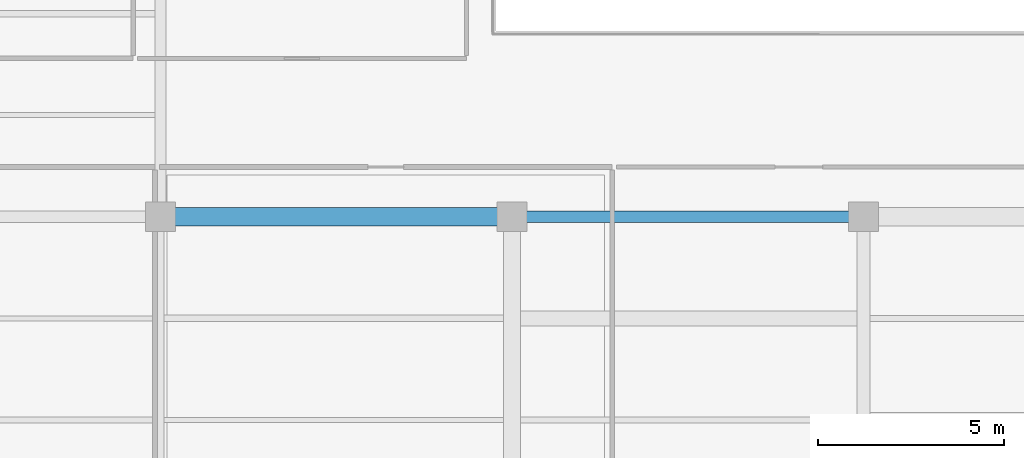
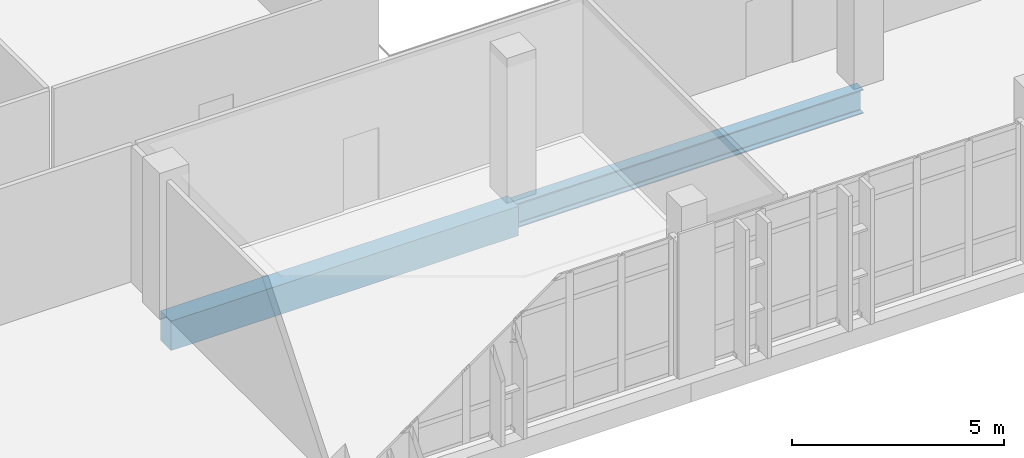
# One storey, part 44 of 158: 2 beams.
"""IFC4 building model written with IfcOpenShell, lengths in metres."""

from ifc_helpers import new_model, si_unit, direction, frame, origin, origin_2d, place, context, subcontext, project, spatial, rectangle, i_section, extrude, material, material_profile, profile_set, type_object, element, save


model = new_model("IFC4")

# Units and contexts
model_context = context("Model", 3, precision=1e-05, world=origin(), true_north=direction((0.0, 1.0)))
body_context = subcontext(model_context, "Body", "Model", "MODEL_VIEW")
ifc_project = project(units=[si_unit("LENGTHUNIT", "METRE"), si_unit("AREAUNIT", "SQUARE_METRE"), si_unit("VOLUMEUNIT", "CUBIC_METRE"), si_unit("PLANEANGLEUNIT", "RADIAN"), si_unit("MASSUNIT", "GRAM", prefix="KILO")], contexts=[model_context])

# Site, building, storey
site_placement = place(None, origin())
site = spatial("IfcSite", under=ifc_project, at=site_placement, CompositionType="ELEMENT")
building_placement = place(site_placement, origin())
building = spatial("IfcBuilding", under=site, at=building_placement, Name="Qalavern Law Courts", CompositionType="ELEMENT")
storey_placement = place(building_placement, frame((0.0, 0.0, 18.60009765625)))
storey = spatial("IfcBuildingStorey", under=building, at=storey_placement, Name="L04", CompositionType="ELEMENT", Elevation=18.60009765625)

# Beams
ifc_material_1 = material(Name="Steel S355", Category="steel")
ifc_material_profile_1 = material_profile(ifc_material_1, i_section(OverallWidth=0.300048828125, OverallDepth=0.699951171875, WebThickness=0.01708984375, FlangeThickness=0.031982421875, FilletRadius=0.027099609375, at=origin_2d()), Name="HEB 700")
ifc_profile_set_1 = profile_set([ifc_material_profile_1], Name="Steel S355")
beam_type_1 = type_object("IfcBeamType", Name="STR-BM-HEB700", PredefinedType="BEAM", material=ifc_profile_set_1)
beam_1_placement = place(storey_placement, frame((72.43701171875, 13.800048828125, -0.630126953125), z_axis=(1.0, 0.0, 0.0), x_axis=(0.0, 1.0, 0.0)))
element("IfcBeam", 1, at=beam_1_placement, inside=storey, type_object=beam_type_1, Name="V2 X-beam 2-5 L04", PredefinedType="BEAM", context=body_context, shape_type="SweptSolid", body=[
    extrude(i_section(OverallWidth=0.300048828125, OverallDepth=0.699951171875, WebThickness=0.01708984375, FlangeThickness=0.031982421875, FilletRadius=0.027099609375, at=origin_2d()), origin(), (0.0, 0.0, 1.0), 9.454345703125),
])
ifc_material_2 = material(Name="Concrete C40/50", Category="concrete")
ifc_material_profile_2 = material_profile(ifc_material_2, rectangle(XDim=0.5, YDim=0.85009765625, at=origin_2d()), Name="RC 500x850")
ifc_profile_set_2 = profile_set([ifc_material_profile_2], Name="Concrete C40/50")
beam_type_2 = type_object("IfcBeamType", Name="STR-BM-RC500x850", PredefinedType="BEAM", material=ifc_profile_set_2)
beam_2_placement = place(storey_placement, frame((62.98291015625, 13.800048828125, -0.705078125), z_axis=(1.0, 0.0, 0.0), x_axis=(0.0, 1.0, 0.0)))
element("IfcBeam", 2, at=beam_2_placement, inside=storey, type_object=beam_type_2, Name="V2 X-beam 2-4 L04", PredefinedType="BEAM", context=body_context, shape_type="SweptSolid", body=[
    extrude(rectangle(XDim=0.5, YDim=0.85009765625, at=origin_2d()), origin(), (0.0, 0.0, 1.0), 9.4541015625),
])

save(model, "model.ifc")
